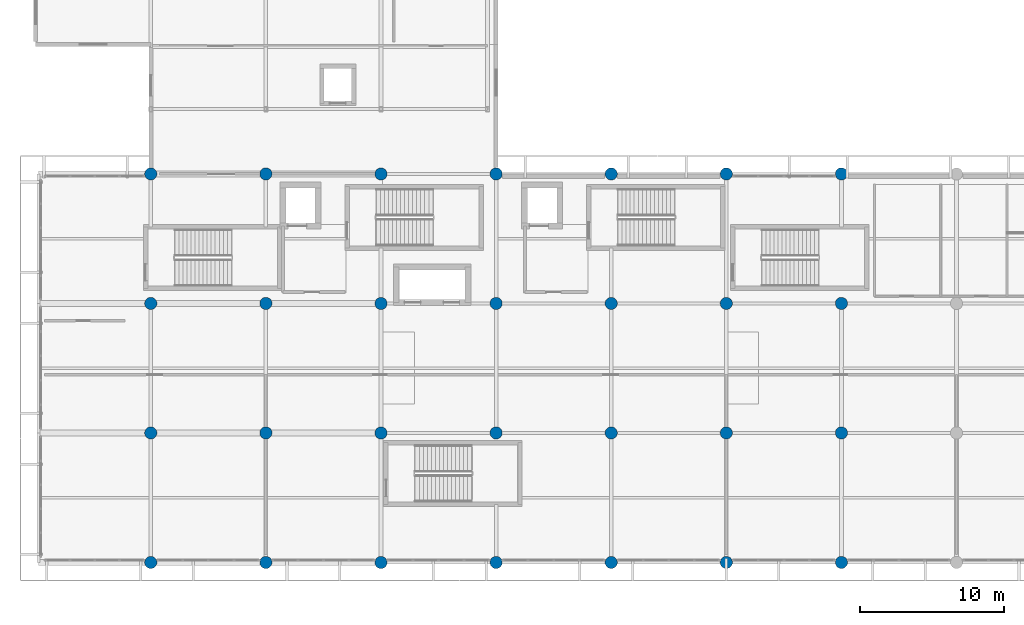
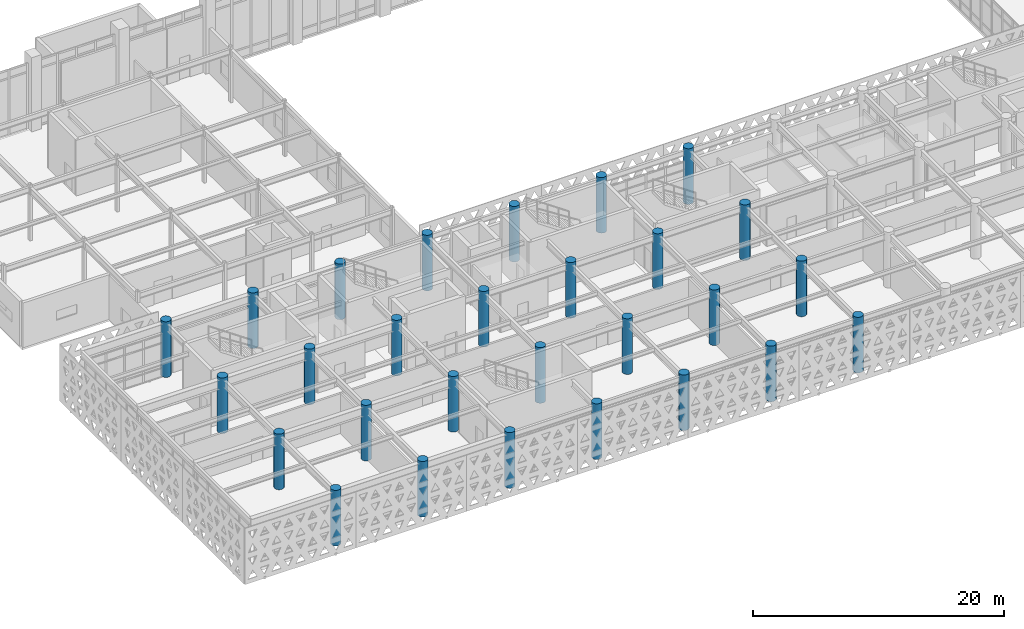
# One storey, part 1 of 84: 28 columns.
"""IFC4 building model written with IfcOpenShell, lengths in metres."""

from ifc_helpers import new_model, si_unit, direction, frame, origin, origin_2d, place, context, subcontext, project, spatial, circle, extrude, material, material_profile, profile_set, type_object, element, save


model = new_model("IFC4")

# Units and contexts
model_context = context("Model", 3, precision=1e-05, world=origin(), true_north=direction((0.0, 1.0)))
body_context = subcontext(model_context, "Body", "Model", "MODEL_VIEW")
ifc_project = project(units=[si_unit("LENGTHUNIT", "METRE"), si_unit("AREAUNIT", "SQUARE_METRE"), si_unit("VOLUMEUNIT", "CUBIC_METRE"), si_unit("PLANEANGLEUNIT", "RADIAN"), si_unit("MASSUNIT", "GRAM", prefix="KILO")], contexts=[model_context])

# Site, building, storey
site_placement = place(None, origin())
site = spatial("IfcSite", under=ifc_project, at=site_placement, CompositionType="ELEMENT")
building_placement = place(site_placement, origin())
building = spatial("IfcBuilding", under=site, at=building_placement, Name="Tlacozan Convention Centre", CompositionType="ELEMENT")
storey_placement = place(building_placement, frame((0.0, 0.0, 6.0)))
storey = spatial("IfcBuildingStorey", under=building, at=storey_placement, Name="L01", CompositionType="ELEMENT", Elevation=6.0)

# Columns
ifc_material = material(Name="Concrete C40/50", Category="concrete")
ifc_material_profile = material_profile(ifc_material, circle(Radius=0.425048828125, at=origin_2d()), Name="RCC D850")
ifc_profile_set = profile_set([ifc_material_profile], Name="Concrete C40/50")
column_type = type_object("IfcColumnType", Name="Column Round RCC D850", PredefinedType="COLUMN", material=ifc_profile_set)
for number, where, z_axis, x_axis, name in (
    (1, (8.0, 0.0, 0.0), (0.0, 0.0, 1.0), (1.0, 0.0, 0.0), "L01 Column 39"),
    (2, (8.0, 9.0, 0.0), (0.0, 0.0, 1.0), (1.0, 0.0, 0.0), "L01 Column 45"),
    (3, (8.0, 18.0, 0.0), (0.0, 0.0, 1.0), (1.0, 0.0, 0.0), "L01 Column 51"),
    (4, (8.0, 27.0, 0.0), (0.0, 0.0, 1.0), (1.0, 0.0, 0.0), "L01 Column 57"),
    (5, (16.0, 0.0, 0.0), (0.0, 0.0, 1.0), (1.0, 0.0, 0.0), "L01 Column 88"),
    (6, (16.0, 9.0, 0.0), (0.0, 0.0, 1.0), (1.0, 0.0, 0.0), "L01 Column 94"),
    (7, (16.0, 18.0, 0.0), (0.0, 0.0, 1.0), (1.0, 0.0, 0.0), "L01 Column 100"),
    (8, (16.0, 27.0, 0.0), (0.0, 0.0, 1.0), (1.0, 0.0, 0.0), "L01 Column 106"),
    (9, (24.0, 0.0, 0.0), (0.0, 0.0, 1.0), (1.0, 0.0, 0.0), "L01 Column 137"),
    (10, (24.0, 9.0, 0.0), (0.0, 0.0, 1.0), (1.0, 0.0, 0.0), "L01 Column 143"),
    (11, (24.0, 18.0, 0.0), (0.0, 0.0, 1.0), (1.0, 0.0, 0.0), "L01 Column 149"),
    (12, (24.0, 27.0, 0.0), (0.0, 0.0, 1.0), (1.0, 0.0, 0.0), "L01 Column 155"),
    (13, (32.0, 0.0, 0.0), (0.0, 0.0, 1.0), (1.0, 0.0, 0.0), "L01 Column 198"),
    (14, (32.0, 9.0, 0.0), (0.0, 0.0, 1.0), (1.0, 0.0, 0.0), "L01 Column 204"),
    (15, (32.0, 18.0, 0.0), (0.0, 0.0, 1.0), (1.0, 0.0, 0.0), "L01 Column 210"),
    (16, (32.0, 27.0, 0.0), (0.0, 0.0, 1.0), (1.0, 0.0, 0.0), "L01 Column 216"),
    (17, (40.0, 0.0, 0.0), (0.0, 0.0, 1.0), (1.0, 0.0, 0.0), "L01 Column 235"),
    (18, (40.0, 9.0, 0.0), (0.0, 0.0, 1.0), (1.0, 0.0, 0.0), "L01 Column 241"),
    (19, (40.0, 18.0, 0.0), (0.0, 0.0, 1.0), (1.0, 0.0, 0.0), "L01 Column 247"),
    (20, (40.0, 27.0, 0.0), (0.0, 0.0, 1.0), (1.0, 0.0, 0.0), "L01 Column 253"),
    (21, (48.0, 0.0, 0.0), (0.0, 0.0, 1.0), (1.0, 0.0, 0.0), "L01 Column 272"),
    (22, (48.0, 9.0, 0.0), (0.0, 0.0, 1.0), (1.0, 0.0, 0.0), "L01 Column 278"),
    (23, (48.0, 18.0, 0.0), (0.0, 0.0, 1.0), (1.0, 0.0, 0.0), "L01 Column 284"),
    (24, (48.0, 27.0, 0.0), (0.0, 0.0, 1.0), (1.0, 0.0, 0.0), "L01 Column 290"),
    (25, (56.0, 0.0, 0.0), (0.0, 0.0, 1.0), (1.0, 0.0, 0.0), "L01 Column 309"),
    (26, (56.0, 9.0, 0.0), (0.0, 0.0, 1.0), (1.0, 0.0, 0.0), "L01 Column 315"),
    (27, (56.0, 18.0, 0.0), (0.0, 0.0, 1.0), (1.0, 0.0, 0.0), "L01 Column 321"),
    (28, (56.0, 27.0, 0.0), (0.0, 0.0, 1.0), (1.0, 0.0, 0.0), "L01 Column 327"),
):
    element("IfcColumn", number, at=place(storey_placement, frame(where, z_axis=z_axis, x_axis=x_axis)), inside=storey, type_object=column_type, Name=name, PredefinedType="COLUMN", context=body_context, shape_type="SweptSolid", body=[
        extrude(circle(Radius=0.425048828125, at=origin_2d()), origin(), (0.0, 0.0, 1.0), 5.39990234375),
    ])

save(model, "model.ifc")
